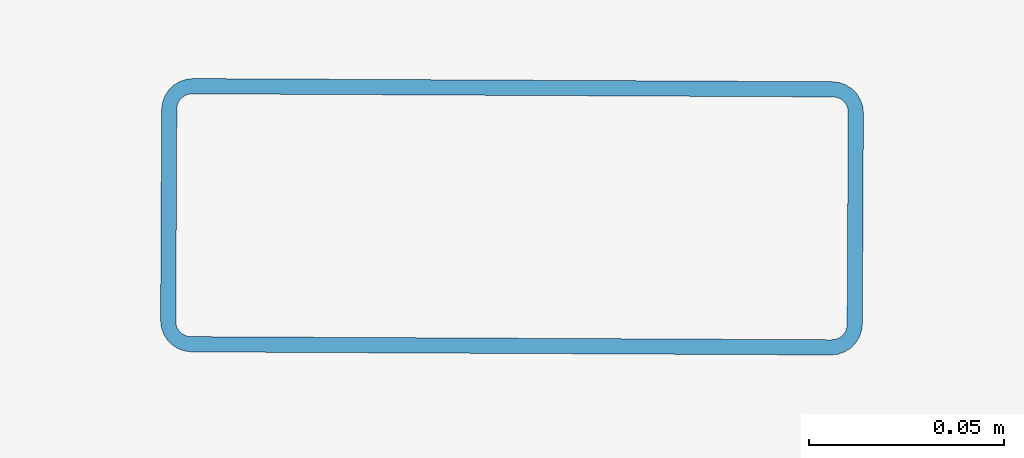
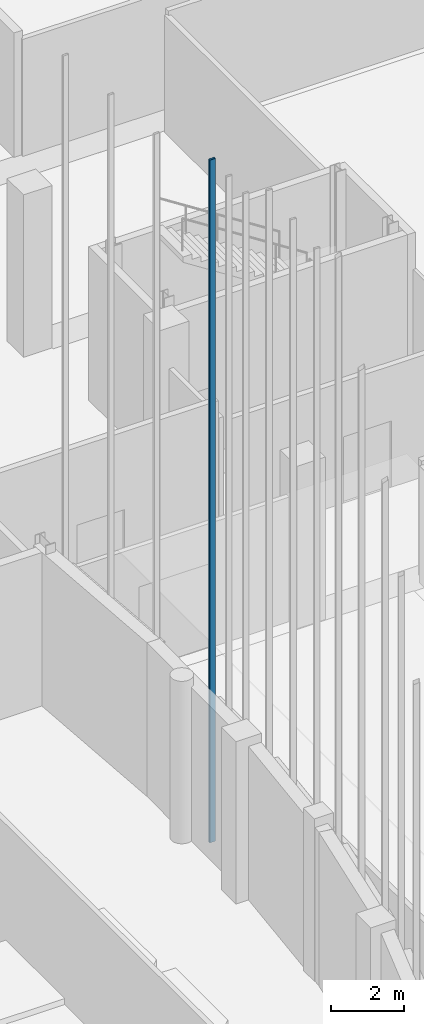
# One storey, part 125 of 372: 1 member.
"""IFC4 building model written with IfcOpenShell, lengths in metres."""

from ifc_helpers import new_model, si_unit, direction, frame, origin, origin_2d, place, context, subcontext, project, spatial, hollow_rectangle, extrude, material, material_profile, profile_set, type_object, element, save


model = new_model("IFC4")

# Units and contexts
model_context = context("Model", 3, precision=1e-05, world=origin(), true_north=direction((0.0, 1.0)))
body_context = subcontext(model_context, "Body", "Model", "MODEL_VIEW")
ifc_project = project(units=[si_unit("LENGTHUNIT", "METRE"), si_unit("AREAUNIT", "SQUARE_METRE"), si_unit("VOLUMEUNIT", "CUBIC_METRE"), si_unit("PLANEANGLEUNIT", "RADIAN"), si_unit("MASSUNIT", "GRAM", prefix="KILO")], contexts=[model_context])

# Site, building, storey
site_placement = place(None, origin())
site = spatial("IfcSite", under=ifc_project, at=site_placement, CompositionType="ELEMENT")
building_placement = place(site_placement, origin())
building = spatial("IfcBuilding", under=site, at=building_placement, Name="Kaelora Sail Theatre", CompositionType="ELEMENT")
storey_placement = place(building_placement, origin())
storey = spatial("IfcBuildingStorey", under=building, at=storey_placement, Name="L00", CompositionType="ELEMENT", Elevation=0.0)

# Member
ifc_material = material(Name="Anodised aluminium 6063-T6", Category="aluminium")
ifc_material_profile = material_profile(ifc_material, hollow_rectangle(XDim=0.070068359375, YDim=0.179931640625, WallThickness=0.00390625, InnerFilletRadius=0.00390625, OuterFilletRadius=0.008056640625, at=origin_2d()), Name="ALU-MULL 70x180x4")
ifc_profile_set = profile_set([ifc_material_profile], Name="Anodised aluminium 6063-T6")
member_type = type_object("IfcMemberType", Name="ARC-MEM-PST-160", PredefinedType="POST", material=ifc_profile_set)
member_placement = place(storey_placement, frame((58.808837890625, 52.990478515625, 0.0), z_axis=(0.0, 0.0, 1.0), x_axis=(-0.004886902454, -0.999988059021, 0.0)))
element("IfcMember", 1, at=member_placement, inside=storey, type_object=member_type, Name="Main Theatre Sail Drum solar louvre vertical support post C2-1", PredefinedType="POST", context=body_context, shape_type="SweptSolid", body=[
    extrude(hollow_rectangle(XDim=0.070068359375, YDim=0.179931640625, WallThickness=0.00390625, InnerFilletRadius=0.00390625, OuterFilletRadius=0.008056640625, at=origin_2d()), origin(), (0.0, 0.0, 1.0), 22.691162109375),
])

save(model, "model.ifc")
